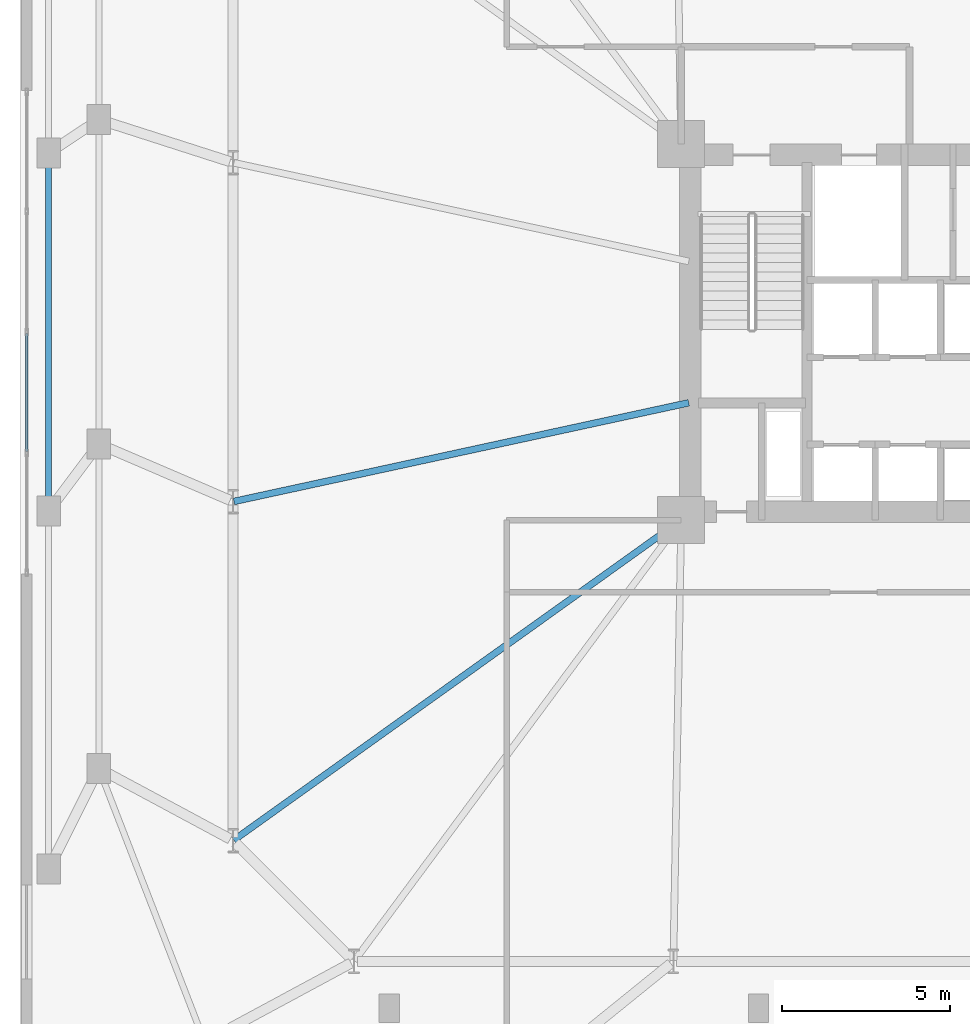
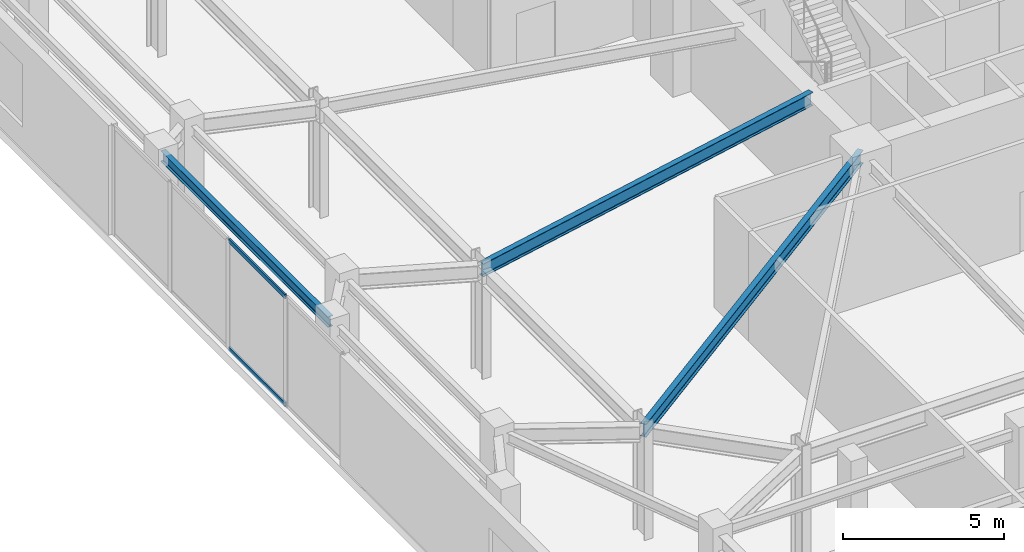
# One storey, part 6 of 21: 3 beams, 2 members, 1 element without a shape of its own.
"""IFC4 building model written with IfcOpenShell, lengths in metres."""

from ifc_helpers import new_model, si_unit, direction, frame, origin, origin_2d, place, context, subcontext, project, spatial, hollow_rectangle, i_section, extrude, material, layer, layer_set, material_profile, profile_set, type_object, element, aggregate, save


model = new_model("IFC4")

# Units and contexts
model_context = context("Model", 3, precision=1e-05, world=origin(), true_north=direction((0.0, 1.0)))
body_context = subcontext(model_context, "Body", "Model", "MODEL_VIEW")
ifc_project = project(units=[si_unit("LENGTHUNIT", "METRE"), si_unit("AREAUNIT", "SQUARE_METRE"), si_unit("VOLUMEUNIT", "CUBIC_METRE"), si_unit("PLANEANGLEUNIT", "RADIAN"), si_unit("MASSUNIT", "GRAM", prefix="KILO")], contexts=[model_context])

# Site, building, storey
site_placement = place(None, origin())
site = spatial("IfcSite", under=ifc_project, at=site_placement, CompositionType="ELEMENT")
building_placement = place(site_placement, origin())
building = spatial("IfcBuilding", under=site, at=building_placement, Name="Qobustan Lattice House", CompositionType="ELEMENT")
storey_placement = place(building_placement, frame((0.0, 0.0, 4.5)))
storey = spatial("IfcBuildingStorey", under=building, at=storey_placement, Name="L01", CompositionType="ELEMENT", Elevation=4.5)

# Beams
ifc_material_1 = material(Name="Steel S355", Category="steel")
ifc_material_profile_1 = material_profile(ifc_material_1, i_section(OverallWidth=0.199951171875, OverallDepth=0.5, WebThickness=0.01025390625, FlangeThickness=0.01611328125, FilletRadius=0.02099609375, at=origin_2d()), Name="IPE500")
ifc_profile_set_1 = profile_set([ifc_material_profile_1], Name="Steel S355")
beam_type_1 = type_object("IfcBeamType", Name="BM-FLG-IPE500", PredefinedType="USERDEFINED", material=ifc_profile_set_1)
beam_1_placement = place(storey_placement, frame((-32.12548828125, -5.044677734375, 3.919921875), z_axis=(0.97727240275, 0.211987383643, 0.0), x_axis=(-0.211987383643, 0.97727240275, 0.0)))
element("IfcBeam", 1, at=beam_1_placement, inside=storey, type_object=beam_type_1, Name="L01 primary floor girder RAD-W3", ObjectType="GIRDER", PredefinedType="USERDEFINED", context=body_context, shape_type="SweptSolid", body=[
    extrude(i_section(OverallWidth=0.199951171875, OverallDepth=0.5, WebThickness=0.01025390625, FlangeThickness=0.01611328125, FilletRadius=0.02099609375, at=origin_2d()), origin(), (0.0, 0.0, 1.0), 13.8662109375),
])
beam_2_placement = place(storey_placement, frame((-32.129638671875, -15.135498046875, 3.919921875), z_axis=(0.813318954893, 0.581818079481, 0.0), x_axis=(-0.581818079481, 0.813318954893, 0.0)))
element("IfcBeam", 2, at=beam_2_placement, inside=storey, type_object=beam_type_1, Name="L01 primary floor girder RAD-W4", ObjectType="GIRDER", PredefinedType="USERDEFINED", context=body_context, shape_type="SweptSolid", body=[
    extrude(i_section(OverallWidth=0.199951171875, OverallDepth=0.5, WebThickness=0.01025390625, FlangeThickness=0.01611328125, FilletRadius=0.02099609375, at=origin_2d()), origin(), (0.0, 0.0, 1.0), 16.3642578125),
])
ifc_material_2 = material(Name="Steel S355", Category="steel")
ifc_material_profile_2 = material_profile(ifc_material_2, i_section(OverallWidth=0.179931640625, OverallDepth=0.39990234375, WebThickness=0.008544921875, FlangeThickness=0.013427734375, FilletRadius=0.02099609375, at=origin_2d()), Name="IPE400")
ifc_profile_set_2 = profile_set([ifc_material_profile_2], Name="Steel S355")
beam_type_2 = type_object("IfcBeamType", Name="BM-SPD-IPE400", PredefinedType="SPANDREL", material=ifc_profile_set_2)
beam_3_placement = place(storey_placement, frame((-37.64990234375, -5.21337890625, 3.969970703125), z_axis=(0.0, 1.0, 0.0), x_axis=(-1.0, 0.0, 0.0)))
element("IfcBeam", 3, at=beam_3_placement, inside=storey, type_object=beam_type_2, Name="L01 lower podium spandrel PWL2-PWL3", PredefinedType="SPANDREL", context=body_context, shape_type="SweptSolid", body=[
    extrude(i_section(OverallWidth=0.179931640625, OverallDepth=0.39990234375, WebThickness=0.008544921875, FlangeThickness=0.013427734375, FilletRadius=0.02099609375, at=origin_2d()), origin(), (0.0, 0.0, 1.0), 10.4267578125),
])

# Curtain wall, members
ifc_material_3 = material(Name="Anodised aluminium and low-E glazing", Category="aluminium")
ifc_layer = layer(ifc_material_3, 0.219970703125)
ifc_layer_set = layer_set([ifc_layer], Name="Anodised aluminium and low-E glazing")
curtain_wall_type = type_object("IfcCurtainWallType", Name="CW-POD-01", PredefinedType="USERDEFINED", material=ifc_layer_set)
curtain_wall_placement = place(storey_placement, origin())
curtain_wall = element("IfcCurtainWall", 4, at=curtain_wall_placement, inside=storey, type_object=curtain_wall_type, Name="L01 W podium colonnade curtain wall", ObjectType="CURTAIN WALL", PredefinedType="USERDEFINED")
ifc_material_4 = material(Name="Anodised aluminium EN AW-6063 T6", Category="aluminium")
ifc_material_profile_3 = material_profile(ifc_material_4, hollow_rectangle(XDim=0.06494140625, YDim=0.159912109375, WallThickness=0.00390625, at=origin_2d()), Name="CWT-160x65")
ifc_profile_set_3 = profile_set([ifc_material_profile_3], Name="Anodised aluminium EN AW-6063 T6")
member_type = type_object("IfcMemberType", Name="CWT-HOR-160", PredefinedType="USERDEFINED", material=ifc_profile_set_3)
member_1_placement = place(storey_placement, frame((-38.300048828125, -3.56005859375, 0.032470703125), z_axis=(0.0, 1.0, 0.0), x_axis=(-1.0, 0.0, 0.0)))
member_1 = element("IfcMember", 5, at=member_1_placement, type_object=member_type, Name="CW-P1 transom 2.1", ObjectType="TRANSOM", PredefinedType="USERDEFINED", context=body_context, shape_type="SweptSolid", body=[
    extrude(hollow_rectangle(XDim=0.06494140625, YDim=0.159912109375, WallThickness=0.00390625, at=origin_2d()), origin(), (0.0, 0.0, 1.0), 3.52001953125),
])
member_2_placement = place(storey_placement, frame((-38.300048828125, -3.56005859375, 4.137451171875), z_axis=(0.0, 1.0, 0.0), x_axis=(-1.0, 0.0, 0.0)))
member_2 = element("IfcMember", 6, at=member_2_placement, type_object=member_type, Name="CW-P1 transom 2.2", ObjectType="TRANSOM", PredefinedType="USERDEFINED", context=body_context, shape_type="SweptSolid", body=[
    extrude(hollow_rectangle(XDim=0.06494140625, YDim=0.159912109375, WallThickness=0.00390625, at=origin_2d()), origin(), (0.0, 0.0, 1.0), 3.52001953125),
])
aggregate(curtain_wall, [member_1, member_2])

save(model, "model.ifc")
